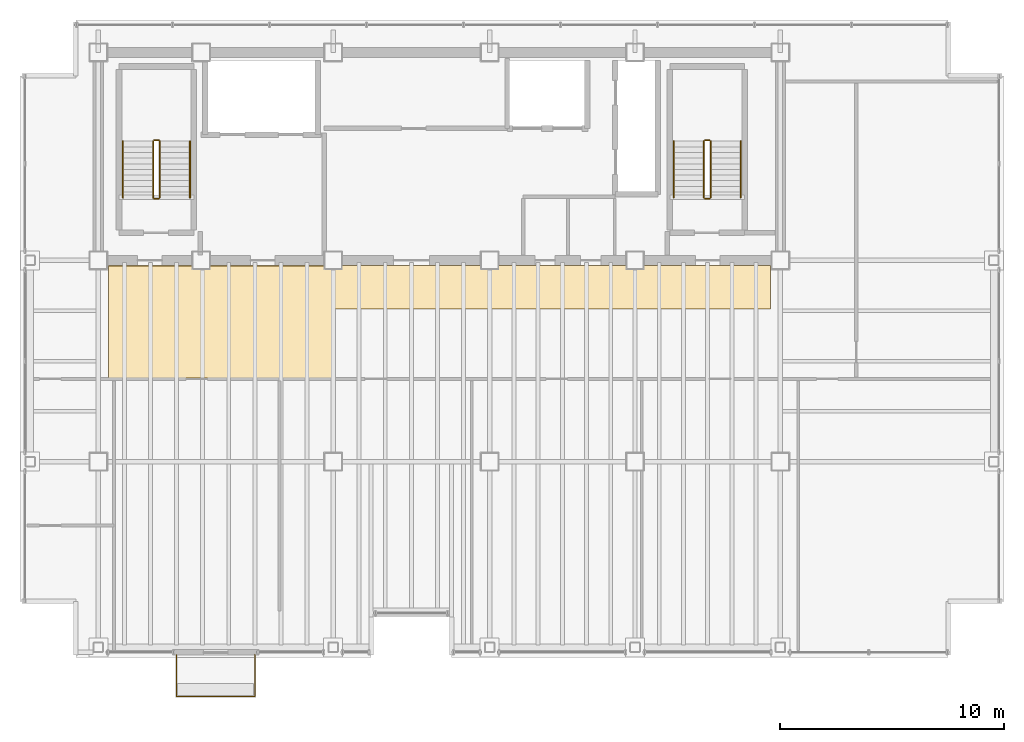
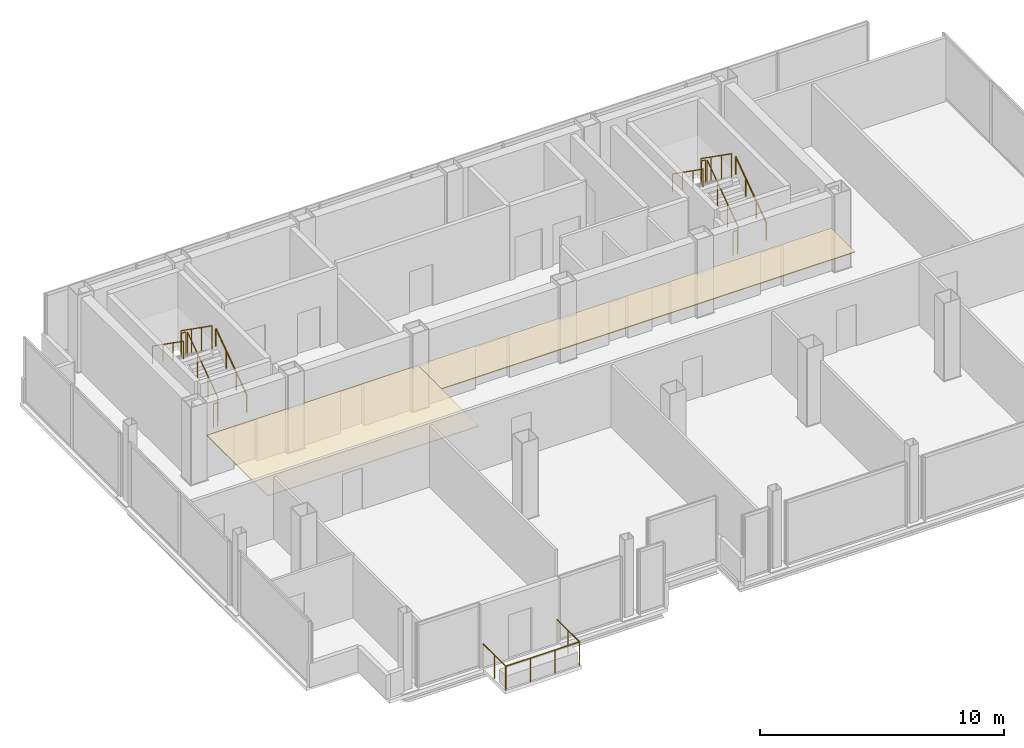
# One storey, part 15 of 15: 13 railings, 2 coverings.
"""IFC4 building model written with IfcOpenShell, lengths in metres."""

from ifc_helpers import new_model, si_unit, direction, frame, origin, origin_2d, place, context, subcontext, project, spatial, polyline, circle, outline, extrude, material, layer, layer_set, type_object, element, save


model = new_model("IFC4")

# Units and contexts
model_context = context("Model", 3, precision=1e-05, world=origin(), true_north=direction((0.0, 1.0)))
body_context = subcontext(model_context, "Body", "Model", "MODEL_VIEW")
ifc_project = project(units=[si_unit("LENGTHUNIT", "METRE"), si_unit("AREAUNIT", "SQUARE_METRE"), si_unit("VOLUMEUNIT", "CUBIC_METRE"), si_unit("PLANEANGLEUNIT", "RADIAN"), si_unit("MASSUNIT", "GRAM", prefix="KILO")], contexts=[model_context])

# Site, building, storey
site_placement = place(None, origin())
site = spatial("IfcSite", under=ifc_project, at=site_placement, CompositionType="ELEMENT")
building_placement = place(site_placement, origin())
building = spatial("IfcBuilding", under=site, at=building_placement, Name="Noeulbin Bourse Tower", CompositionType="ELEMENT")
storey_placement = place(building_placement, frame((0.0, 0.0, 211.10009765625)))
storey = spatial("IfcBuildingStorey", under=building, at=storey_placement, Name="L52", CompositionType="ELEMENT", Elevation=211.10009765625)

# Coverings
ifc_material_1 = material(Name="Perforated Mineral-Fibre Acoustic Tile")
ifc_layer_1 = layer(ifc_material_1, 0.0400390625)
ifc_layer_set_1 = layer_set([ifc_layer_1], Name="Perforated Mineral-Fibre Acoustic Tile")
covering_type_1 = type_object("IfcCoveringType", Name="COV-CEIL-ACT", PredefinedType="CEILING", material=ifc_layer_set_1)
covering_1_placement = place(storey_placement, frame((0.0, 0.0, 2.10986328125)))
element("IfcCovering", 1, at=covering_1_placement, inside=storey, type_object=covering_type_1, Name="Trading Suite Acoustic Ceiling L52", PredefinedType="CEILING", context=body_context, shape_type="SweptSolid", body=[
    extrude(outline(polyline([(13.949951171875, 23.75), (23.949951171875, 23.75), (23.949951171875, 28.75), (13.949951171875, 28.75), (13.949951171875, 23.75)])), origin(), (0.0, 0.0, 1.0), 0.0400390625),
])
ifc_material_2 = material(Name="Linear Anodised Aluminium Baffle Ceiling", Category="aluminium")
ifc_layer_2 = layer(ifc_material_2, 0.050048828125)
ifc_layer_set_2 = layer_set([ifc_layer_2], Name="Linear Anodised Aluminium Baffle Ceiling")
covering_type_2 = type_object("IfcCoveringType", Name="COV-CEIL-MTL", PredefinedType="CEILING", material=ifc_layer_set_2)
covering_2_placement = place(storey_placement, frame((0.0, 0.0, 2.10986328125)))
element("IfcCovering", 2, at=covering_2_placement, inside=storey, type_object=covering_type_2, Name="Corridor Suspended Ceiling L52", PredefinedType="CEILING", context=body_context, shape_type="SweptSolid", body=[
    extrude(outline(polyline([(13.949951171875, 26.820068359375), (43.550048828125, 26.820068359375), (43.550048828125, 28.780029296875), (13.949951171875, 28.780029296875), (13.949951171875, 26.820068359375)])), origin(), (0.0, 0.0, 1.0), 0.0400390625),
])

# Railings
ifc_material_3 = material(Name="Laminated SentryGlas and Stainless Steel 316", Category="steel")
ifc_layer_3 = layer(ifc_material_3, 0.06005859375)
ifc_layer_set_3 = layer_set([ifc_layer_3], Name="Laminated SentryGlas and Stainless Steel 316")
railing_type_1 = type_object("IfcRailingType", Name="RLG-BAL-1200", PredefinedType="BALUSTRADE", material=ifc_layer_set_3)
railing_1_placement = place(storey_placement, frame((17.0, 11.3701171875, 0.0)))
element("IfcRailing", 3, at=railing_1_placement, inside=storey, type_object=railing_type_1, Name="Tree-Balcony Glazed Balustrade L52", PredefinedType="BALUSTRADE", context=body_context, shape_type="SweptSolid", body=[
    extrude(circle(Radius=0.02392578125, at=origin_2d()), frame((0.0, 0.0, 1.17578125), z_axis=(0.0, -1.0, 0.0), x_axis=(1.0, 0.0, 0.0)), (0.0, 0.0, 1.0), 1.8701171875),
    extrude(circle(Radius=0.02392578125, at=origin_2d()), frame((0.0, -1.8701171875, 1.17578125), z_axis=(1.0, 0.0, 0.0), x_axis=(0.0, 1.0, 0.0)), (0.0, 0.0, 1.0), 3.5),
    extrude(circle(Radius=0.02392578125, at=origin_2d()), frame((3.5, -1.8701171875, 1.17578125), z_axis=(0.0, 1.0, 0.0), x_axis=(-1.0, 0.0, 0.0)), (0.0, 0.0, 1.0), 1.8701171875),
    extrude(circle(Radius=0.02099609375, at=origin_2d()), origin(), (0.0, 0.0, 1.0), 1.15185546875),
    extrude(circle(Radius=0.02099609375, at=origin_2d()), frame((0.0, -0.93505859375, 0.0)), (0.0, 0.0, 1.0), 1.15185546875),
    extrude(circle(Radius=0.02099609375, at=origin_2d()), frame((0.0, -1.8701171875, 0.0)), (0.0, 0.0, 1.0), 1.15185546875),
    extrude(circle(Radius=0.02099609375, at=origin_2d()), frame((1.166748046875, -1.8701171875, 0.0)), (0.0, 0.0, 1.0), 1.15185546875),
    extrude(circle(Radius=0.02099609375, at=origin_2d()), frame((2.333251953125, -1.8701171875, 0.0)), (0.0, 0.0, 1.0), 1.15185546875),
    extrude(circle(Radius=0.02099609375, at=origin_2d()), frame((3.5, -1.8701171875, 0.0)), (0.0, 0.0, 1.0), 1.15185546875),
    extrude(circle(Radius=0.02099609375, at=origin_2d()), frame((3.5, -0.93505859375, 0.0)), (0.0, 0.0, 1.0), 1.15185546875),
    extrude(circle(Radius=0.02099609375, at=origin_2d()), frame((3.5, 0.0, 0.0)), (0.0, 0.0, 1.0), 1.15185546875),
])
ifc_material_4 = material(Name="Painted Tubular Steel S355", Category="steel")
ifc_layer_4 = layer(ifc_material_4, 0.048095703125)
ifc_layer_set_4 = layer_set([ifc_layer_4], Name="Painted Tubular Steel S355")
railing_type_2 = type_object("IfcRailingType", Name="RLG-STR-GRD", PredefinedType="GUARDRAIL", material=ifc_layer_set_4)
railing_2_placement = place(storey_placement, frame((16.25, 31.81005859375, 0.17724609375)))
element("IfcRailing", 4, at=railing_2_placement, inside=storey, type_object=railing_type_2, Name="L52 ST-1 stair guard 1", PredefinedType="GUARDRAIL", context=body_context, shape_type="SweptSolid", body=[
    extrude(circle(Radius=0.02392578125, at=origin_2d()), frame((0.0, 0.0, 1.17578125), z_axis=(0.0, 0.817904474719, 0.575354039036), x_axis=(-1.0, 0.0, 0.0)), (0.0, 0.0, 1.0), 3.0810546875),
    extrude(circle(Radius=0.02099609375, at=origin_2d()), origin(), (0.0, 0.0, 1.0), 1.15185546875),
    extrude(circle(Radius=0.02099609375, at=origin_2d()), frame((0.0, 0.840087890625, 0.5908203125)), (0.0, 0.0, 1.0), 1.15185546875),
    extrude(circle(Radius=0.02099609375, at=origin_2d()), frame((0.0, 1.679931640625, 1.181884765625)), (0.0, 0.0, 1.0), 1.15185546875),
    extrude(circle(Radius=0.02099609375, at=origin_2d()), frame((0.0, 2.52001953125, 1.772705078125)), (0.0, 0.0, 1.0), 1.15185546875),
])
railing_3_placement = place(storey_placement, frame((16.199951171875, 34.3798828125, 1.949951171875)))
element("IfcRailing", 5, at=railing_3_placement, inside=storey, type_object=railing_type_2, Name="L52 ST-1 stair guard 2", PredefinedType="GUARDRAIL", context=body_context, shape_type="SweptSolid", body=[
    extrude(circle(Radius=0.02392578125, at=origin_2d()), frame((0.0, 0.0, 1.17578125), z_axis=(-1.0, 0.0, 0.0), x_axis=(0.0, -1.0, 0.0)), (0.0, 0.0, 1.0), 0.199951171875),
    extrude(circle(Radius=0.02099609375, at=origin_2d()), origin(), (0.0, 0.0, 1.0), 1.15185546875),
    extrude(circle(Radius=0.02099609375, at=origin_2d()), frame((-0.199951171875, 0.0, 0.0)), (0.0, 0.0, 1.0), 1.15185546875),
])
railing_4_placement = place(storey_placement, frame((15.949951171875, 34.330078125, 2.127197265625)))
element("IfcRailing", 6, at=railing_4_placement, inside=storey, type_object=railing_type_2, Name="L52 ST-1 stair guard 3", PredefinedType="GUARDRAIL", context=body_context, shape_type="SweptSolid", body=[
    extrude(circle(Radius=0.02392578125, at=origin_2d()), frame((0.0, 0.0, 1.17578125), z_axis=(0.0, -0.817904474719, 0.575354039036), x_axis=(1.0, 0.0, 0.0)), (0.0, 0.0, 1.0), 3.0810546875),
    extrude(circle(Radius=0.02099609375, at=origin_2d()), origin(), (0.0, 0.0, 1.0), 1.15185546875),
    extrude(circle(Radius=0.02099609375, at=origin_2d()), frame((0.0, -0.840087890625, 0.5908203125)), (0.0, 0.0, 1.0), 1.15185546875),
    extrude(circle(Radius=0.02099609375, at=origin_2d()), frame((0.0, -1.679931640625, 1.181884765625)), (0.0, 0.0, 1.0), 1.15185546875),
    extrude(circle(Radius=0.02099609375, at=origin_2d()), frame((0.0, -2.52001953125, 1.772705078125)), (0.0, 0.0, 1.0), 1.15185546875),
])
railing_5_placement = place(storey_placement, frame((16.199951171875, 31.760009765625, 0.0)))
element("IfcRailing", 7, at=railing_5_placement, inside=storey, type_object=railing_type_2, Name="L52 ST-1 stair guard 4", PredefinedType="GUARDRAIL", context=body_context, shape_type="SweptSolid", body=[
    extrude(circle(Radius=0.02392578125, at=origin_2d()), frame((0.0, 0.0, 1.17578125), z_axis=(-1.0, 0.0, 0.0), x_axis=(0.0, -1.0, 0.0)), (0.0, 0.0, 1.0), 0.199951171875),
    extrude(circle(Radius=0.02099609375, at=origin_2d()), origin(), (0.0, 0.0, 1.0), 1.15185546875),
    extrude(circle(Radius=0.02099609375, at=origin_2d()), frame((-0.199951171875, 0.0, 0.0)), (0.0, 0.0, 1.0), 1.15185546875),
])
railing_6_placement = place(storey_placement, frame((40.8798828125, 31.81005859375, 0.17724609375)))
element("IfcRailing", 8, at=railing_6_placement, inside=storey, type_object=railing_type_2, Name="L52 ST-2 stair guard 1", PredefinedType="GUARDRAIL", context=body_context, shape_type="SweptSolid", body=[
    extrude(circle(Radius=0.02392578125, at=origin_2d()), frame((0.0, 0.0, 1.17578125), z_axis=(0.0, 0.817904474719, 0.575354039036), x_axis=(-1.0, 0.0, 0.0)), (0.0, 0.0, 1.0), 3.0810546875),
    extrude(circle(Radius=0.02099609375, at=origin_2d()), origin(), (0.0, 0.0, 1.0), 1.15185546875),
    extrude(circle(Radius=0.02099609375, at=origin_2d()), frame((0.0, 0.840087890625, 0.5908203125)), (0.0, 0.0, 1.0), 1.15185546875),
    extrude(circle(Radius=0.02099609375, at=origin_2d()), frame((0.0, 1.679931640625, 1.181884765625)), (0.0, 0.0, 1.0), 1.15185546875),
    extrude(circle(Radius=0.02099609375, at=origin_2d()), frame((0.0, 2.52001953125, 1.772705078125)), (0.0, 0.0, 1.0), 1.15185546875),
])
railing_7_placement = place(storey_placement, frame((40.830078125, 34.3798828125, 1.949951171875)))
element("IfcRailing", 9, at=railing_7_placement, inside=storey, type_object=railing_type_2, Name="L52 ST-2 stair guard 2", PredefinedType="GUARDRAIL", context=body_context, shape_type="SweptSolid", body=[
    extrude(circle(Radius=0.02392578125, at=origin_2d()), frame((0.0, 0.0, 1.17578125), z_axis=(-1.0, 0.0, 0.0), x_axis=(0.0, -1.0, 0.0)), (0.0, 0.0, 1.0), 0.2001953125),
    extrude(circle(Radius=0.02099609375, at=origin_2d()), origin(), (0.0, 0.0, 1.0), 1.15185546875),
    extrude(circle(Radius=0.02099609375, at=origin_2d()), frame((-0.2001953125, 0.0, 0.0)), (0.0, 0.0, 1.0), 1.15185546875),
])
railing_8_placement = place(storey_placement, frame((40.580078125, 34.330078125, 2.127197265625)))
element("IfcRailing", 10, at=railing_8_placement, inside=storey, type_object=railing_type_2, Name="L52 ST-2 stair guard 3", PredefinedType="GUARDRAIL", context=body_context, shape_type="SweptSolid", body=[
    extrude(circle(Radius=0.02392578125, at=origin_2d()), frame((0.0, 0.0, 1.17578125), z_axis=(0.0, -0.817904474719, 0.575354039036), x_axis=(1.0, 0.0, 0.0)), (0.0, 0.0, 1.0), 3.0810546875),
    extrude(circle(Radius=0.02099609375, at=origin_2d()), origin(), (0.0, 0.0, 1.0), 1.15185546875),
    extrude(circle(Radius=0.02099609375, at=origin_2d()), frame((0.0, -0.840087890625, 0.5908203125)), (0.0, 0.0, 1.0), 1.15185546875),
    extrude(circle(Radius=0.02099609375, at=origin_2d()), frame((0.0, -1.679931640625, 1.181884765625)), (0.0, 0.0, 1.0), 1.15185546875),
    extrude(circle(Radius=0.02099609375, at=origin_2d()), frame((0.0, -2.52001953125, 1.772705078125)), (0.0, 0.0, 1.0), 1.15185546875),
])
railing_9_placement = place(storey_placement, frame((40.830078125, 31.760009765625, 0.0)))
element("IfcRailing", 11, at=railing_9_placement, inside=storey, type_object=railing_type_2, Name="L52 ST-2 stair guard 4", PredefinedType="GUARDRAIL", context=body_context, shape_type="SweptSolid", body=[
    extrude(circle(Radius=0.02392578125, at=origin_2d()), frame((0.0, 0.0, 1.17578125), z_axis=(-1.0, 0.0, 0.0), x_axis=(0.0, -1.0, 0.0)), (0.0, 0.0, 1.0), 0.2001953125),
    extrude(circle(Radius=0.02099609375, at=origin_2d()), origin(), (0.0, 0.0, 1.0), 1.15185546875),
    extrude(circle(Radius=0.02099609375, at=origin_2d()), frame((-0.2001953125, 0.0, 0.0)), (0.0, 0.0, 1.0), 1.15185546875),
])
ifc_material_5 = material(Name="Brushed Stainless Steel 316", Category="steel")
ifc_layer_5 = layer(ifc_material_5, 0.048095703125)
ifc_layer_set_5 = layer_set([ifc_layer_5], Name="Brushed Stainless Steel 316")
railing_type_3 = type_object("IfcRailingType", Name="RLG-STR-HND", PredefinedType="HANDRAIL", material=ifc_layer_set_5)
railing_10_placement = place(storey_placement, frame((17.60009765625, 31.81005859375, 0.17724609375)))
element("IfcRailing", 12, at=railing_10_placement, inside=storey, type_object=railing_type_3, Name="L52 ST-1 stair handrail 1", PredefinedType="HANDRAIL", context=body_context, shape_type="SweptSolid", body=[
    extrude(circle(Radius=0.02392578125, at=origin_2d()), frame((0.0, 0.0, 0.8759765625), z_axis=(0.0, 0.817904474719, 0.575354039036), x_axis=(-1.0, 0.0, 0.0)), (0.0, 0.0, 1.0), 3.0810546875),
    extrude(circle(Radius=0.02099609375, at=origin_2d()), origin(), (0.0, 0.0, 1.0), 0.851806640625),
    extrude(circle(Radius=0.02099609375, at=origin_2d()), frame((0.0, 0.840087890625, 0.5908203125)), (0.0, 0.0, 1.0), 0.851806640625),
    extrude(circle(Radius=0.02099609375, at=origin_2d()), frame((0.0, 1.679931640625, 1.181884765625)), (0.0, 0.0, 1.0), 0.851806640625),
    extrude(circle(Radius=0.02099609375, at=origin_2d()), frame((0.0, 2.52001953125, 1.772705078125)), (0.0, 0.0, 1.0), 0.851806640625),
])
railing_11_placement = place(storey_placement, frame((14.60009765625, 34.330078125, 2.127197265625)))
element("IfcRailing", 13, at=railing_11_placement, inside=storey, type_object=railing_type_3, Name="L52 ST-1 stair handrail 2", PredefinedType="HANDRAIL", context=body_context, shape_type="SweptSolid", body=[
    extrude(circle(Radius=0.02392578125, at=origin_2d()), frame((0.0, 0.0, 0.8759765625), z_axis=(0.0, -0.817904474719, 0.575354039036), x_axis=(1.0, 0.0, 0.0)), (0.0, 0.0, 1.0), 3.0810546875),
    extrude(circle(Radius=0.02099609375, at=origin_2d()), origin(), (0.0, 0.0, 1.0), 0.851806640625),
    extrude(circle(Radius=0.02099609375, at=origin_2d()), frame((0.0, -0.840087890625, 0.5908203125)), (0.0, 0.0, 1.0), 0.851806640625),
    extrude(circle(Radius=0.02099609375, at=origin_2d()), frame((0.0, -1.679931640625, 1.181884765625)), (0.0, 0.0, 1.0), 0.851806640625),
    extrude(circle(Radius=0.02099609375, at=origin_2d()), frame((0.0, -2.52001953125, 1.772705078125)), (0.0, 0.0, 1.0), 0.851806640625),
])
railing_12_placement = place(storey_placement, frame((42.22998046875, 31.81005859375, 0.17724609375)))
element("IfcRailing", 14, at=railing_12_placement, inside=storey, type_object=railing_type_3, Name="L52 ST-2 stair handrail 1", PredefinedType="HANDRAIL", context=body_context, shape_type="SweptSolid", body=[
    extrude(circle(Radius=0.02392578125, at=origin_2d()), frame((0.0, 0.0, 0.8759765625), z_axis=(0.0, 0.817904474719, 0.575354039036), x_axis=(-1.0, 0.0, 0.0)), (0.0, 0.0, 1.0), 3.0810546875),
    extrude(circle(Radius=0.02099609375, at=origin_2d()), origin(), (0.0, 0.0, 1.0), 0.851806640625),
    extrude(circle(Radius=0.02099609375, at=origin_2d()), frame((0.0, 0.840087890625, 0.5908203125)), (0.0, 0.0, 1.0), 0.851806640625),
    extrude(circle(Radius=0.02099609375, at=origin_2d()), frame((0.0, 1.679931640625, 1.181884765625)), (0.0, 0.0, 1.0), 0.851806640625),
    extrude(circle(Radius=0.02099609375, at=origin_2d()), frame((0.0, 2.52001953125, 1.772705078125)), (0.0, 0.0, 1.0), 0.851806640625),
])
railing_13_placement = place(storey_placement, frame((39.22998046875, 34.330078125, 2.127197265625)))
element("IfcRailing", 15, at=railing_13_placement, inside=storey, type_object=railing_type_3, Name="L52 ST-2 stair handrail 2", PredefinedType="HANDRAIL", context=body_context, shape_type="SweptSolid", body=[
    extrude(circle(Radius=0.02392578125, at=origin_2d()), frame((0.0, 0.0, 0.8759765625), z_axis=(0.0, -0.817904474719, 0.575354039036), x_axis=(1.0, 0.0, 0.0)), (0.0, 0.0, 1.0), 3.0810546875),
    extrude(circle(Radius=0.02099609375, at=origin_2d()), origin(), (0.0, 0.0, 1.0), 0.851806640625),
    extrude(circle(Radius=0.02099609375, at=origin_2d()), frame((0.0, -0.840087890625, 0.5908203125)), (0.0, 0.0, 1.0), 0.851806640625),
    extrude(circle(Radius=0.02099609375, at=origin_2d()), frame((0.0, -1.679931640625, 1.181884765625)), (0.0, 0.0, 1.0), 0.851806640625),
    extrude(circle(Radius=0.02099609375, at=origin_2d()), frame((0.0, -2.52001953125, 1.772705078125)), (0.0, 0.0, 1.0), 0.851806640625),
])

save(model, "model.ifc")
